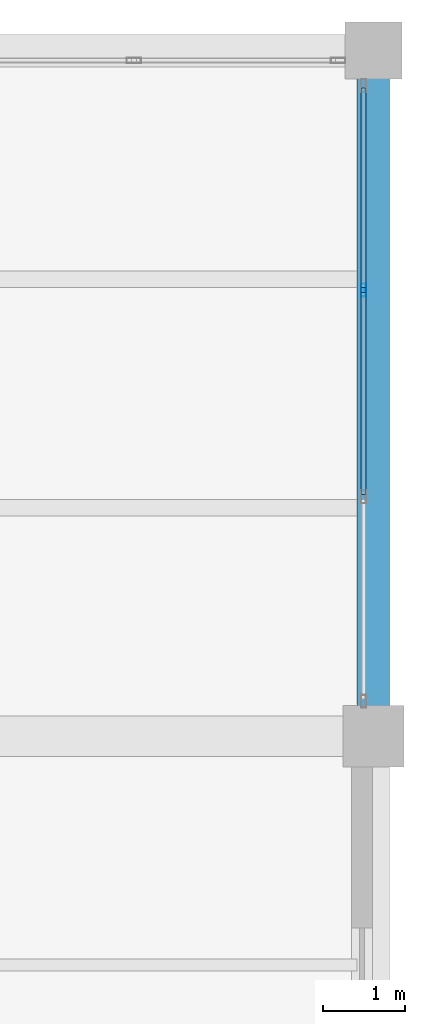
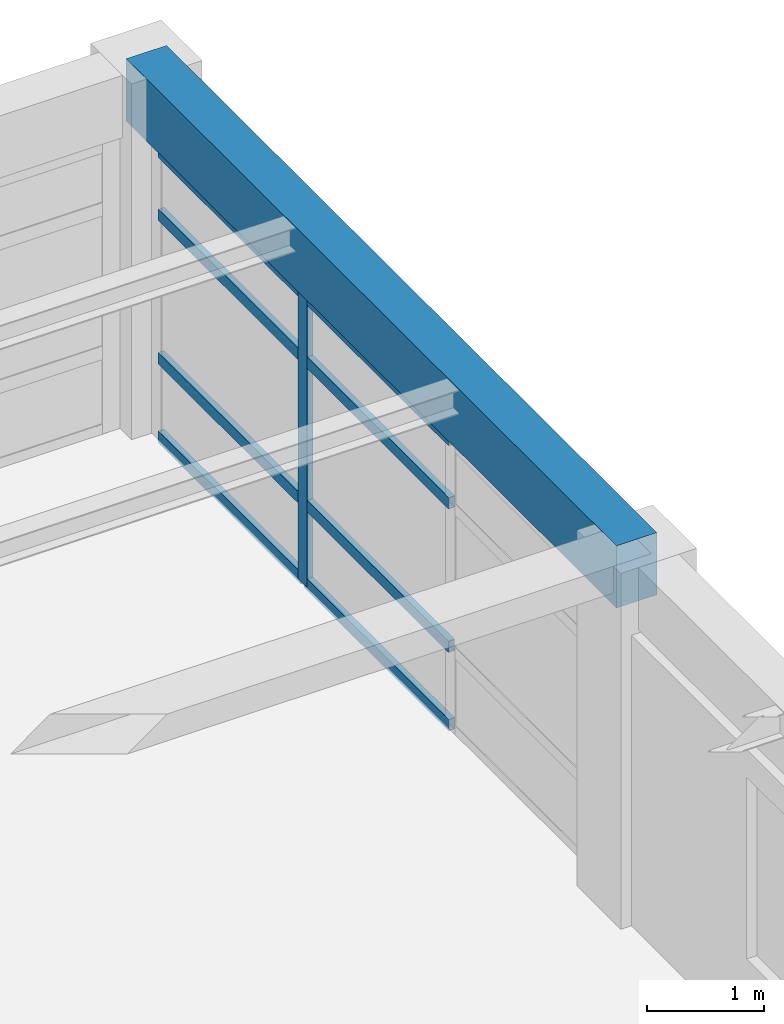
# One storey, part 15 of 26: 9 members, 1 beam, 1 element without a shape of its own.
"""IFC4 building model written with IfcOpenShell, lengths in metres."""

from ifc_helpers import new_model, si_unit, direction, frame, origin, origin_2d, place, context, subcontext, project, spatial, rectangle, hollow_rectangle, extrude, material, material_profile, profile_set, type_object, element, aggregate, save


model = new_model("IFC4")

# Units and contexts
model_context = context("Model", 3, precision=1e-05, world=origin(), true_north=direction((0.0, 1.0)))
body_context = subcontext(model_context, "Body", "Model", "MODEL_VIEW")
ifc_project = project(units=[si_unit("LENGTHUNIT", "METRE"), si_unit("AREAUNIT", "SQUARE_METRE"), si_unit("VOLUMEUNIT", "CUBIC_METRE"), si_unit("PLANEANGLEUNIT", "RADIAN"), si_unit("MASSUNIT", "GRAM", prefix="KILO")], contexts=[model_context])

# Site, building, storey
site_placement = place(None, origin())
site = spatial("IfcSite", under=ifc_project, at=site_placement, CompositionType="ELEMENT")
building_placement = place(site_placement, origin())
building = spatial("IfcBuilding", under=site, at=building_placement, Name="Almacenes y Pasaje Nevantli", CompositionType="ELEMENT")
storey_placement = place(building_placement, frame((0.0, 0.0, 38.699951171875)))
storey = spatial("IfcBuildingStorey", under=building, at=storey_placement, Name="L09", CompositionType="ELEMENT", Elevation=38.699951171875)

# Beam
ifc_material_1 = material(Name="Concrete C35/45", Category="concrete")
ifc_material_profile_1 = material_profile(ifc_material_1, rectangle(XDim=0.39990234375, YDim=0.64990234375, at=origin_2d()), Name="RC-BM-400x650")
ifc_profile_set_1 = profile_set([ifc_material_profile_1], Name="Concrete C35/45")
beam_type = type_object("IfcBeamType", Name="BM-RC-400x650", PredefinedType="SPANDREL", material=ifc_profile_set_1)
beam_placement = place(storey_placement, frame((159.60009765625, 92.39990234375, 3.39501953125), z_axis=(0.0, 1.0, 0.0), x_axis=(-1.0, 0.0, 0.0)))
element("IfcBeam", 1, at=beam_placement, inside=storey, type_object=beam_type, Name="L09 North-South Reinforced Concrete Beam #3796", PredefinedType="SPANDREL", context=body_context, shape_type="SweptSolid", body=[
    extrude(rectangle(XDim=0.39990234375, YDim=0.64990234375, at=origin_2d()), origin(), (0.0, 0.0, 1.0), 8.400146484375),
])

# Curtain wall, members
ifc_material_2 = material(Name="Thermally Broken Aluminium and Low-E Glass", Category="aluminium")
curtain_wall_type = type_object("IfcCurtainWallType", Name="CW-UNIT-TOWER", PredefinedType="USERDEFINED", material=ifc_material_2)
curtain_wall_placement = place(storey_placement, origin())
curtain_wall = element("IfcCurtainWall", 2, at=curtain_wall_placement, inside=storey, type_object=curtain_wall_type, Name="L09 Tower East Curtain Wall Bay 12", ObjectType="UNITIZED CURTAIN WALL", PredefinedType="USERDEFINED")
ifc_material_3 = material(Name="Thermally Broken Anodized Aluminium", Category="aluminium")
ifc_material_profile_2 = material_profile(ifc_material_3, hollow_rectangle(XDim=0.06005859375, YDim=0.159912109375, WallThickness=0.00390625, at=origin_2d()), Name="ALU-MUL-60x160")
ifc_profile_set_2 = profile_set([ifc_material_profile_2], Name="Thermally Broken Anodized Aluminium")
member_type_1 = type_object("IfcMemberType", Name="CW-MUL-180", PredefinedType="MULLION", material=ifc_profile_set_2)
member_1_placement = place(storey_placement, frame((159.47998046875, 97.86669921875, 0.0), z_axis=(0.0, 0.0, 1.0), x_axis=(-1.0, 0.0, 0.0)))
member_1 = element("IfcMember", 3, at=member_1_placement, type_object=member_type_1, Name="CW-L09-140 mullion 3", PredefinedType="MULLION", context=body_context, shape_type="SweptSolid", body=[
    extrude(hollow_rectangle(XDim=0.06005859375, YDim=0.159912109375, WallThickness=0.00390625, at=origin_2d()), origin(), (0.0, 0.0, 1.0), 3.0400390625),
])
ifc_material_4 = material(Name="Thermally Broken Anodized Aluminium", Category="aluminium")
ifc_material_profile_3 = material_profile(ifc_material_4, hollow_rectangle(XDim=0.06005859375, YDim=0.1201171875, WallThickness=0.00341796875, at=origin_2d()), Name="ALU-TRN-60x120")
ifc_profile_set_3 = profile_set([ifc_material_profile_3], Name="Thermally Broken Anodized Aluminium")
member_type_2 = type_object("IfcMemberType", Name="CW-TRN-130", PredefinedType="USERDEFINED", material=ifc_profile_set_3)
member_2_placement = place(storey_placement, frame((159.47998046875, 95.36328125, 0.030029296875), z_axis=(0.0, 1.0, 0.0), x_axis=(-1.0, 0.0, 0.0)))
member_2 = element("IfcMember", 4, at=member_2_placement, type_object=member_type_2, Name="CW-L09-140 transom 2.1", ObjectType="TRANSOM", PredefinedType="USERDEFINED", context=body_context, shape_type="SweptSolid", body=[
    extrude(hollow_rectangle(XDim=0.06005859375, YDim=0.1201171875, WallThickness=0.00341796875, at=origin_2d()), origin(), (0.0, 0.0, 1.0), 2.473388671875),
])
member_3_placement = place(storey_placement, frame((159.47998046875, 95.36328125, 0.85009765625), z_axis=(0.0, 1.0, 0.0), x_axis=(-1.0, 0.0, 0.0)))
member_3 = element("IfcMember", 5, at=member_3_placement, type_object=member_type_2, Name="CW-L09-140 transom 2.2", ObjectType="TRANSOM", PredefinedType="USERDEFINED", context=body_context, shape_type="SweptSolid", body=[
    extrude(hollow_rectangle(XDim=0.06005859375, YDim=0.1201171875, WallThickness=0.00341796875, at=origin_2d()), origin(), (0.0, 0.0, 1.0), 2.473388671875),
])
member_4_placement = place(storey_placement, frame((159.47998046875, 95.36328125, 2.35009765625), z_axis=(0.0, 1.0, 0.0), x_axis=(-1.0, 0.0, 0.0)))
member_4 = element("IfcMember", 6, at=member_4_placement, type_object=member_type_2, Name="CW-L09-140 transom 2.3", ObjectType="TRANSOM", PredefinedType="USERDEFINED", context=body_context, shape_type="SweptSolid", body=[
    extrude(hollow_rectangle(XDim=0.06005859375, YDim=0.1201171875, WallThickness=0.00341796875, at=origin_2d()), origin(), (0.0, 0.0, 1.0), 2.473388671875),
])
member_5_placement = place(storey_placement, frame((159.47998046875, 95.36328125, 3.010009765625), z_axis=(0.0, 1.0, 0.0), x_axis=(-1.0, 0.0, 0.0)))
member_5 = element("IfcMember", 7, at=member_5_placement, type_object=member_type_2, Name="CW-L09-140 transom 2.4", ObjectType="TRANSOM", PredefinedType="USERDEFINED", context=body_context, shape_type="SweptSolid", body=[
    extrude(hollow_rectangle(XDim=0.06005859375, YDim=0.1201171875, WallThickness=0.00341796875, at=origin_2d()), origin(), (0.0, 0.0, 1.0), 2.473388671875),
])
member_6_placement = place(storey_placement, frame((159.47998046875, 97.896728515625, 0.030029296875), z_axis=(0.0, 1.0, 0.0), x_axis=(-1.0, 0.0, 0.0)))
member_6 = element("IfcMember", 8, at=member_6_placement, type_object=member_type_2, Name="CW-L09-140 transom 3.1", ObjectType="TRANSOM", PredefinedType="USERDEFINED", context=body_context, shape_type="SweptSolid", body=[
    extrude(hollow_rectangle(XDim=0.06005859375, YDim=0.1201171875, WallThickness=0.00341796875, at=origin_2d()), origin(), (0.0, 0.0, 1.0), 2.443359375),
])
member_7_placement = place(storey_placement, frame((159.47998046875, 97.896728515625, 0.85009765625), z_axis=(0.0, 1.0, 0.0), x_axis=(-1.0, 0.0, 0.0)))
member_7 = element("IfcMember", 9, at=member_7_placement, type_object=member_type_2, Name="CW-L09-140 transom 3.2", ObjectType="TRANSOM", PredefinedType="USERDEFINED", context=body_context, shape_type="SweptSolid", body=[
    extrude(hollow_rectangle(XDim=0.06005859375, YDim=0.1201171875, WallThickness=0.00341796875, at=origin_2d()), origin(), (0.0, 0.0, 1.0), 2.443359375),
])
member_8_placement = place(storey_placement, frame((159.47998046875, 97.896728515625, 2.35009765625), z_axis=(0.0, 1.0, 0.0), x_axis=(-1.0, 0.0, 0.0)))
member_8 = element("IfcMember", 10, at=member_8_placement, type_object=member_type_2, Name="CW-L09-140 transom 3.3", ObjectType="TRANSOM", PredefinedType="USERDEFINED", context=body_context, shape_type="SweptSolid", body=[
    extrude(hollow_rectangle(XDim=0.06005859375, YDim=0.1201171875, WallThickness=0.00341796875, at=origin_2d()), origin(), (0.0, 0.0, 1.0), 2.443359375),
])
member_9_placement = place(storey_placement, frame((159.47998046875, 97.896728515625, 3.010009765625), z_axis=(0.0, 1.0, 0.0), x_axis=(-1.0, 0.0, 0.0)))
member_9 = element("IfcMember", 11, at=member_9_placement, type_object=member_type_2, Name="CW-L09-140 transom 3.4", ObjectType="TRANSOM", PredefinedType="USERDEFINED", context=body_context, shape_type="SweptSolid", body=[
    extrude(hollow_rectangle(XDim=0.06005859375, YDim=0.1201171875, WallThickness=0.00341796875, at=origin_2d()), origin(), (0.0, 0.0, 1.0), 2.443359375),
])
aggregate(curtain_wall, [member_1, member_2, member_3, member_4, member_5, member_6, member_7, member_8, member_9])

save(model, "model.ifc")
